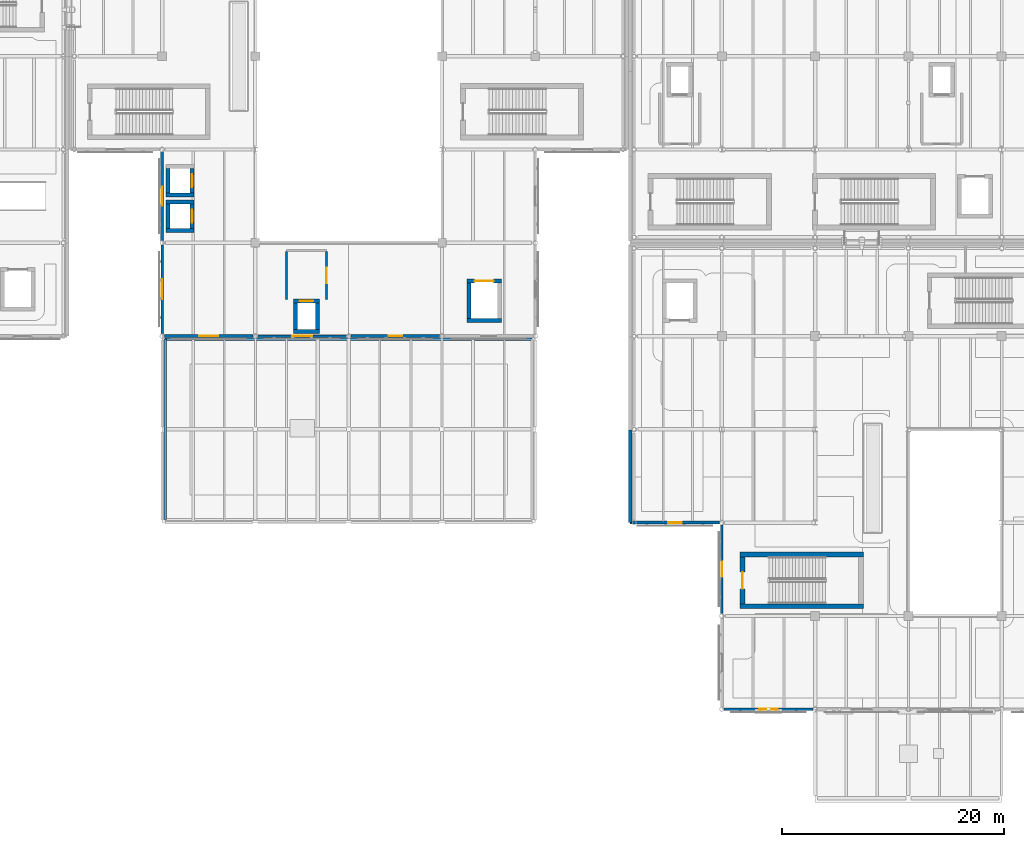
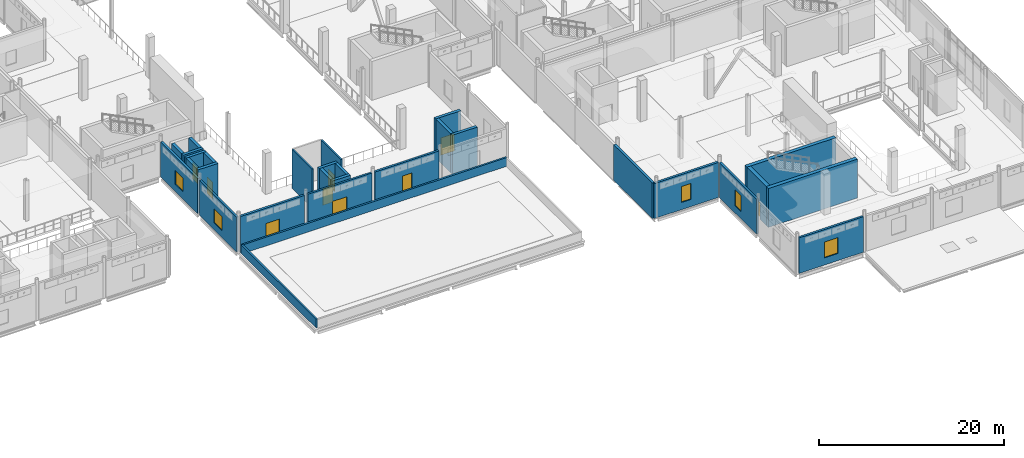
# One storey, part 66 of 110: 30 walls, 8 windows, 6 doors, 14 openings.
"""IFC4 building model written with IfcOpenShell, lengths in metres."""

from ifc_helpers import new_model, si_unit, direction, frame, frame_2d, origin, place, context, subcontext, project, spatial, rectangle, extrude, material, layer, layer_set, type_object, element, fill, save


model = new_model("IFC4")

# Units and contexts
model_context = context("Model", 3, precision=1e-05, world=origin(), true_north=direction((0.0, 1.0)))
body_context = subcontext(model_context, "Body", "Model", "MODEL_VIEW")
ifc_project = project(units=[si_unit("LENGTHUNIT", "METRE"), si_unit("AREAUNIT", "SQUARE_METRE"), si_unit("VOLUMEUNIT", "CUBIC_METRE"), si_unit("PLANEANGLEUNIT", "RADIAN"), si_unit("MASSUNIT", "GRAM", prefix="KILO"), si_unit("THERMODYNAMICTEMPERATUREUNIT", "KELVIN")], contexts=[model_context])

# Site, building, storey
site_placement = place(None, origin())
site = spatial("IfcSite", under=ifc_project, at=site_placement, CompositionType="ELEMENT")
building_placement = place(site_placement, origin())
building = spatial("IfcBuilding", under=site, at=building_placement, Name="Lustrewick Department Store", CompositionType="ELEMENT")
storey_placement = place(building_placement, frame((0.0, 0.0, 6.0)))
storey = spatial("IfcBuildingStorey", under=building, at=storey_placement, Name="L02", CompositionType="ELEMENT", Elevation=6.0)

# Wall, opening, window
ifc_material_1 = material(Name="Precast concrete C40", Category="concrete")
ifc_layer_1 = layer(ifc_material_1, 0.239990234375, Name="Precast concrete C40")
ifc_layer_set_1 = layer_set([ifc_layer_1], Name="Precast concrete C40")
wall_type_1 = type_object("IfcWallType", Name="EW01", PredefinedType="STANDARD", material=ifc_layer_set_1)
wall_1_placement = place(storey_placement, frame((75.798095703125, 42.0, 0.0), z_axis=(0.0, 0.0, 1.0), x_axis=(1.0, 0.0, 0.0)))
wall_1 = element("IfcWall", 1, at=wall_1_placement, inside=storey, type_object=wall_type_1, Name="L02 V2 Exterior Wall EW01", PredefinedType="STANDARD", context=body_context, shape_type="SweptSolid", body=[
    extrude(rectangle(XDim=8.00390625, YDim=0.239990234375, at=frame_2d((4.001953125, 0.0))), origin(), (0.0, 0.0, 1.0), 4.787109375),
])
opening_1_placement = place(wall_1_placement, frame((3.10205078125, 0.0, 0.949951171875)))
opening_1 = element("IfcOpeningElement", 2, at=opening_1_placement, cuts=wall_1, Name="Opening WN05", PredefinedType="OPENING", context=body_context, shape_type="SweptSolid", body=[
    extrude(rectangle(XDim=1.800048828125, YDim=1.800048828125, at=frame_2d((0.89990234375, 0.89990234375))), frame((0.0, 0.1298828125, 0.0), z_axis=(0.0, -1.0, 0.0), x_axis=(1.0, 0.0, 0.0)), (0.0, 0.0, 1.0), 0.260009765625),
])
ifc_material_2 = material(Name="Thermally broken Low-E triple-glazed window", Category="glass")
window_type_1 = type_object("IfcWindowType", Name="WN05", PartitioningType="DOUBLE_PANEL_VERTICAL", PredefinedType="WINDOW", material=ifc_material_2)
window_1_placement = place(opening_1_placement, origin())
window_1 = element("IfcWindow", 3, at=window_1_placement, inside=storey, type_object=window_type_1, Name="L02 Art Nouveau Window WN05", OverallHeight=1.800048828125, OverallWidth=1.800048828125, PartitioningType="SINGLE_PANEL", PredefinedType="WINDOW", context=body_context, shape_type="SweptSolid", body=[
    extrude(rectangle(XDim=1.800048828125, YDim=1.800048828125, at=frame_2d((0.89990234375, 0.89990234375))), frame((0.0, 0.030029296875, 0.0), z_axis=(0.0, -1.0, 0.0), x_axis=(1.0, 0.0, 0.0)), (0.0, 0.0, 1.0), 0.06005859375),
])
fill(opening_1, window_1)

wall_2_placement = place(storey_placement, frame((67.199951171875, 50.216552734375, 0.0), z_axis=(0.0, 0.0, 1.0), x_axis=(0.0, -1.0, 0.0)))
wall_2 = element("IfcWall", 4, at=wall_2_placement, inside=storey, type_object=wall_type_1, Name="L02 V2 Exterior Wall EW01", PredefinedType="STANDARD", context=body_context, shape_type="SweptSolid", body=[
    extrude(rectangle(XDim=8.0185546875, YDim=0.239990234375, at=frame_2d((4.00927734375, 0.0))), origin(), (0.0, 0.0, 1.0), 4.631103515625),
])
opening_2_placement = place(wall_2_placement, frame((3.109375, 0.0, 0.949951171875)))
opening_2 = element("IfcOpeningElement", 5, at=opening_2_placement, cuts=wall_2, Name="Opening WN05", PredefinedType="OPENING", context=body_context, shape_type="SweptSolid", body=[
    extrude(rectangle(XDim=1.800048828125, YDim=1.800048828125, at=frame_2d((0.89990234375, 0.89990234375))), frame((0.0, 0.1298828125, 0.0), z_axis=(0.0, -1.0, 0.0), x_axis=(1.0, 0.0, 0.0)), (0.0, 0.0, 1.0), 0.260009765625),
])
window_2_placement = place(opening_2_placement, origin())
window_2 = element("IfcWindow", 6, at=window_2_placement, inside=storey, type_object=window_type_1, Name="L02 Art Nouveau Window WN05", OverallHeight=1.800048828125, OverallWidth=1.800048828125, PartitioningType="SINGLE_PANEL", PredefinedType="WINDOW", context=body_context, shape_type="SweptSolid", body=[
    extrude(rectangle(XDim=1.800048828125, YDim=1.800048828125, at=frame_2d((0.89990234375, 0.89990234375))), frame((0.0, 0.030029296875, 0.0), z_axis=(0.0, -1.0, 0.0), x_axis=(1.0, 0.0, 0.0)), (0.0, 0.0, 1.0), 0.06005859375),
])
fill(opening_2, window_2)

wall_3_placement = place(storey_placement, frame((117.60009765625, 25.001953125, 0.0), z_axis=(0.0, 0.0, 1.0), x_axis=(0.0, -1.0, 0.0)))
wall_3 = element("IfcWall", 7, at=wall_3_placement, inside=storey, type_object=wall_type_1, Name="L02 V3 Exterior Wall EW01", PredefinedType="STANDARD", context=body_context, shape_type="SweptSolid", body=[
    extrude(rectangle(XDim=8.00390625, YDim=0.239990234375, at=frame_2d((4.001953125, 0.0))), origin(), (0.0, 0.0, 1.0), 4.631103515625),
])
opening_3_placement = place(wall_3_placement, frame((3.326904296875, 0.0, 0.949951171875)))
opening_3 = element("IfcOpeningElement", 8, at=opening_3_placement, cuts=wall_3, Name="Opening WN07", PredefinedType="OPENING", context=body_context, shape_type="SweptSolid", body=[
    extrude(rectangle(XDim=1.35009765625, YDim=2.10009765625, at=frame_2d((0.675048828125, 1.050048828125))), frame((0.0, 0.1298828125, 0.0), z_axis=(0.0, -1.0, 0.0), x_axis=(1.0, 0.0, 0.0)), (0.0, 0.0, 1.0), 0.260009765625),
])
window_type_2 = type_object("IfcWindowType", Name="WN07", PartitioningType="DOUBLE_PANEL_VERTICAL", PredefinedType="WINDOW", material=ifc_material_2)
window_3_placement = place(opening_3_placement, origin())
window_3 = element("IfcWindow", 9, at=window_3_placement, inside=storey, type_object=window_type_2, Name="L02 Art Nouveau Window WN07", OverallHeight=2.10009765625, OverallWidth=1.35009765625, PartitioningType="SINGLE_PANEL", PredefinedType="WINDOW", context=body_context, shape_type="SweptSolid", body=[
    extrude(rectangle(XDim=1.35009765625, YDim=2.10009765625, at=frame_2d((0.675048828125, 1.050048828125))), frame((0.0, 0.030029296875, 0.0), z_axis=(0.0, -1.0, 0.0), x_axis=(1.0, 0.0, 0.0)), (0.0, 0.0, 1.0), 0.06005859375),
])
fill(opening_3, window_3)

ifc_layer_2 = layer(ifc_material_1, 0.260009765625, Name="Precast concrete C40")
ifc_layer_set_2 = layer_set([ifc_layer_2], Name="Precast concrete C40")
wall_type_2 = type_object("IfcWallType", Name="EW02", PredefinedType="STANDARD", material=ifc_layer_set_2)
wall_4_placement = place(storey_placement, frame((84.197998046875, 42.0, 0.0), z_axis=(0.0, 0.0, 1.0), x_axis=(1.0, 0.0, 0.0)))
wall_4 = element("IfcWall", 10, at=wall_4_placement, inside=storey, type_object=wall_type_2, Name="L02 V2 Exterior Wall EW02", PredefinedType="STANDARD", context=body_context, shape_type="SweptSolid", body=[
    extrude(rectangle(XDim=8.00390625, YDim=0.260009765625, at=frame_2d((4.001953125, 0.0))), origin(), (0.0, 0.0, 1.0), 4.787109375),
])
opening_4_placement = place(wall_4_placement, frame((3.402099609375, 0.0, 0.949951171875)))
opening_4 = element("IfcOpeningElement", 11, at=opening_4_placement, cuts=wall_4, Name="Opening WN06", PredefinedType="OPENING", context=body_context, shape_type="SweptSolid", body=[
    extrude(rectangle(XDim=1.199951171875, YDim=2.10009765625, at=frame_2d((0.60009765625, 1.050048828125))), frame((0.0, 0.14013671875, 0.0), z_axis=(0.0, -1.0, 0.0), x_axis=(1.0, 0.0, 0.0)), (0.0, 0.0, 1.0), 0.280029296875),
])
window_type_3 = type_object("IfcWindowType", Name="WN06", PartitioningType="DOUBLE_PANEL_VERTICAL", PredefinedType="WINDOW", material=ifc_material_2)
window_4_placement = place(opening_4_placement, origin())
window_4 = element("IfcWindow", 12, at=window_4_placement, inside=storey, type_object=window_type_3, Name="L02 Art Nouveau Window WN06", OverallHeight=2.10009765625, OverallWidth=1.199951171875, PartitioningType="SINGLE_PANEL", PredefinedType="WINDOW", context=body_context, shape_type="SweptSolid", body=[
    extrude(rectangle(XDim=1.199951171875, YDim=2.10009765625, at=frame_2d((0.60009765625, 1.050048828125))), frame((0.0, 0.030029296875, 0.0), z_axis=(0.0, -1.0, 0.0), x_axis=(1.0, 0.0, 0.0)), (0.0, 0.0, 1.0), 0.06005859375),
])
fill(opening_4, window_4)

wall_5_placement = place(storey_placement, frame((117.783447265625, 8.39990234375, 0.0), z_axis=(0.0, 0.0, 1.0), x_axis=(1.0, 0.0, 0.0)))
wall_5 = element("IfcWall", 13, at=wall_5_placement, inside=storey, type_object=wall_type_2, Name="L02 V3 Exterior Wall EW02", PredefinedType="STANDARD", context=body_context, shape_type="SweptSolid", body=[
    extrude(rectangle(XDim=8.032958984375, YDim=0.260009765625, at=frame_2d((4.0166015625, 0.0))), origin(), (0.0, 0.0, 1.0), 4.697021484375),
])
opening_5_placement = place(wall_5_placement, frame((3.176513671875, 0.0, 0.949951171875)))
opening_5 = element("IfcOpeningElement", 14, at=opening_5_placement, cuts=wall_5, Name="Opening WN09", PredefinedType="OPENING", context=body_context, shape_type="SweptSolid", body=[
    extrude(rectangle(XDim=1.679931640625, YDim=2.10009765625, at=frame_2d((0.83984375, 1.050048828125))), frame((0.0, 0.14013671875, 0.0), z_axis=(0.0, -1.0, 0.0), x_axis=(1.0, 0.0, 0.0)), (0.0, 0.0, 1.0), 0.280029296875),
])
window_type_4 = type_object("IfcWindowType", Name="WN09", PartitioningType="DOUBLE_PANEL_VERTICAL", PredefinedType="WINDOW", material=ifc_material_2)
window_5_placement = place(opening_5_placement, origin())
window_5 = element("IfcWindow", 15, at=window_5_placement, inside=storey, type_object=window_type_4, Name="L02 Art Nouveau Window WN09", OverallHeight=2.10009765625, OverallWidth=1.679931640625, PartitioningType="SINGLE_PANEL", PredefinedType="WINDOW", context=body_context, shape_type="SweptSolid", body=[
    extrude(rectangle(XDim=1.679931640625, YDim=2.10009765625, at=frame_2d((0.83984375, 1.050048828125))), frame((0.0, 0.030029296875, 0.0), z_axis=(0.0, -1.0, 0.0), x_axis=(1.0, 0.0, 0.0)), (0.0, 0.0, 1.0), 0.06005859375),
])
fill(opening_5, window_5)

ifc_layer_3 = layer(ifc_material_1, 0.280029296875, Name="Precast concrete C40")
ifc_layer_set_3 = layer_set([ifc_layer_3], Name="Precast concrete C40")
wall_type_3 = type_object("IfcWallType", Name="EW03", PredefinedType="STANDARD", material=ifc_layer_set_3)
wall_6_placement = place(storey_placement, frame((67.39794921875, 42.0, 0.0), z_axis=(0.0, 0.0, 1.0), x_axis=(1.0, 0.0, 0.0)))
wall_6 = element("IfcWall", 16, at=wall_6_placement, inside=storey, type_object=wall_type_3, Name="L02 V2 Exterior Wall EW03", PredefinedType="STANDARD", context=body_context, shape_type="SweptSolid", body=[
    extrude(rectangle(XDim=8.004150390625, YDim=0.280029296875, at=frame_2d((4.001953125, 0.0))), origin(), (0.0, 0.0, 1.0), 4.787109375),
])
opening_6_placement = place(wall_6_placement, frame((3.162109375, 0.0, 0.949951171875)))
opening_6 = element("IfcOpeningElement", 17, at=opening_6_placement, cuts=wall_6, Name="Opening WN04", PredefinedType="OPENING", context=body_context, shape_type="SweptSolid", body=[
    extrude(rectangle(XDim=1.679931640625, YDim=1.800048828125, at=frame_2d((0.83984375, 0.89990234375))), frame((0.0, 0.14990234375, 0.0), z_axis=(0.0, -1.0, 0.0), x_axis=(1.0, 0.0, 0.0)), (0.0, 0.0, 1.0), 0.300048828125),
])
window_type_5 = type_object("IfcWindowType", Name="WN04", PartitioningType="DOUBLE_PANEL_VERTICAL", PredefinedType="WINDOW", material=ifc_material_2)
window_6_placement = place(opening_6_placement, origin())
window_6 = element("IfcWindow", 18, at=window_6_placement, inside=storey, type_object=window_type_5, Name="L02 Art Nouveau Window WN04", OverallHeight=1.800048828125, OverallWidth=1.679931640625, PartitioningType="SINGLE_PANEL", PredefinedType="WINDOW", context=body_context, shape_type="SweptSolid", body=[
    extrude(rectangle(XDim=1.679931640625, YDim=1.800048828125, at=frame_2d((0.83984375, 0.89990234375))), frame((0.0, 0.030029296875, 0.0), z_axis=(0.0, -1.0, 0.0), x_axis=(1.0, 0.0, 0.0)), (0.0, 0.0, 1.0), 0.06005859375),
])
fill(opening_6, window_6)

wall_7_placement = place(storey_placement, frame((67.199951171875, 58.60205078125, 0.0), z_axis=(0.0, 0.0, 1.0), x_axis=(0.0, -1.0, 0.0)))
wall_7 = element("IfcWall", 19, at=wall_7_placement, inside=storey, type_object=wall_type_3, Name="L02 V2 Exterior Wall EW03", PredefinedType="STANDARD", context=body_context, shape_type="SweptSolid", body=[
    extrude(rectangle(XDim=8.0185546875, YDim=0.280029296875, at=frame_2d((4.00927734375, 0.0))), origin(), (0.0, 0.0, 1.0), 4.631103515625),
])
opening_7_placement = place(wall_7_placement, frame((3.169189453125, 0.0, 0.949951171875)))
opening_7 = element("IfcOpeningElement", 20, at=opening_7_placement, cuts=wall_7, Name="Opening WN04", PredefinedType="OPENING", context=body_context, shape_type="SweptSolid", body=[
    extrude(rectangle(XDim=1.679931640625, YDim=1.800048828125, at=frame_2d((0.83984375, 0.89990234375))), frame((0.0, 0.14990234375, 0.0), z_axis=(0.0, -1.0, 0.0), x_axis=(1.0, 0.0, 0.0)), (0.0, 0.0, 1.0), 0.300048828125),
])
window_7_placement = place(opening_7_placement, origin())
window_7 = element("IfcWindow", 21, at=window_7_placement, inside=storey, type_object=window_type_5, Name="L02 Art Nouveau Window WN04", OverallHeight=1.800048828125, OverallWidth=1.679931640625, PartitioningType="SINGLE_PANEL", PredefinedType="WINDOW", context=body_context, shape_type="SweptSolid", body=[
    extrude(rectangle(XDim=1.679931640625, YDim=1.800048828125, at=frame_2d((0.83984375, 0.89990234375))), frame((0.0, 0.030029296875, 0.0), z_axis=(0.0, -1.0, 0.0), x_axis=(1.0, 0.0, 0.0)), (0.0, 0.0, 1.0), 0.06005859375),
])
fill(opening_7, window_7)

wall_8_placement = place(storey_placement, frame((109.35009765625, 25.199951171875, 0.0), z_axis=(0.0, 0.0, 1.0), x_axis=(1.0, 0.0, 0.0)))
wall_8 = element("IfcWall", 22, at=wall_8_placement, inside=storey, type_object=wall_type_3, Name="L02 V3 Exterior Wall EW03", PredefinedType="STANDARD", context=body_context, shape_type="SweptSolid", body=[
    extrude(rectangle(XDim=8.052001953125, YDim=0.280029296875, at=frame_2d((4.02587890625, 0.0))), origin(), (0.0, 0.0, 1.0), 4.631103515625),
])
opening_8_placement = place(wall_8_placement, frame((3.426025390625, 0.0, 0.949951171875)))
opening_8 = element("IfcOpeningElement", 23, at=opening_8_placement, cuts=wall_8, Name="Opening WN06", PredefinedType="OPENING", context=body_context, shape_type="SweptSolid", body=[
    extrude(rectangle(XDim=1.199951171875, YDim=2.10009765625, at=frame_2d((0.60009765625, 1.050048828125))), frame((0.0, 0.14990234375, 0.0), z_axis=(0.0, -1.0, 0.0), x_axis=(1.0, 0.0, 0.0)), (0.0, 0.0, 1.0), 0.300048828125),
])
window_8_placement = place(opening_8_placement, origin())
window_8 = element("IfcWindow", 24, at=window_8_placement, inside=storey, type_object=window_type_3, Name="L02 Art Nouveau Window WN06", OverallHeight=2.10009765625, OverallWidth=1.199951171875, PartitioningType="SINGLE_PANEL", PredefinedType="WINDOW", context=body_context, shape_type="SweptSolid", body=[
    extrude(rectangle(XDim=1.199951171875, YDim=2.10009765625, at=frame_2d((0.60009765625, 1.050048828125))), frame((0.0, 0.030029296875, 0.0), z_axis=(0.0, -1.0, 0.0), x_axis=(1.0, 0.0, 0.0)), (0.0, 0.0, 1.0), 0.06005859375),
])
fill(opening_8, window_8)

# Walls
ifc_layer_4 = layer(ifc_material_1, 0.300048828125, Name="Precast concrete C40")
ifc_layer_set_4 = layer_set([ifc_layer_4], Name="Precast concrete C40")
wall_type_4 = type_object("IfcWallType", Name="EW04", PredefinedType="STANDARD", material=ifc_layer_set_4)
wall_9_placement = place(storey_placement, frame((109.35009765625, 33.550048828125, 0.0), z_axis=(0.0, 0.0, 1.0), x_axis=(0.0, -1.0, 0.0)))
element("IfcWall", 25, at=wall_9_placement, inside=storey, type_object=wall_type_4, Name="L02 V3 Exterior Wall EW04", PredefinedType="STANDARD", context=body_context, shape_type="SweptSolid", body=[
    extrude(rectangle(XDim=8.35009765625, YDim=0.300048828125, at=frame_2d((4.175048828125, 0.0))), origin(), (0.0, 0.0, 1.0), 4.697021484375),
])
ifc_layer_5 = layer(ifc_material_1, 0.2099609375, Name="Precast concrete C40")
ifc_layer_set_5 = layer_set([ifc_layer_5], Name="Precast concrete C40")
wall_type_5 = type_object("IfcWallType", Name="PA02", PredefinedType="PARAPET", material=ifc_layer_set_5)
wall_10_placement = place(storey_placement, frame((67.47998046875, 25.47998046875, 0.0), z_axis=(0.0, 0.0, 1.0), x_axis=(0.0, 1.0, 0.0)))
element("IfcWall", 26, at=wall_10_placement, inside=storey, type_object=wall_type_5, Name="L02 Roof Parapet PA02", PredefinedType="PARAPET", context=body_context, shape_type="SweptSolid", body=[
    extrude(rectangle(XDim=16.239990234375, YDim=0.2099609375, at=frame_2d((8.1201171875, 0.0))), origin(), (0.0, 0.0, 1.0), 1.14990234375),
])
ifc_layer_6 = layer(ifc_material_1, 0.22998046875, Name="Precast concrete C40")
ifc_layer_set_6 = layer_set([ifc_layer_6], Name="Precast concrete C40")
wall_type_6 = type_object("IfcWallType", Name="PA03", PredefinedType="PARAPET", material=ifc_layer_set_6)
wall_11_placement = place(storey_placement, frame((67.47998046875, 41.719970703125, 0.0), z_axis=(0.0, 0.0, 1.0), x_axis=(1.0, 0.0, 0.0)))
element("IfcWall", 27, at=wall_11_placement, inside=storey, type_object=wall_type_6, Name="L02 Roof Parapet PA03", PredefinedType="PARAPET", context=body_context, shape_type="SweptSolid", body=[
    extrude(rectangle(XDim=33.0400390625, YDim=0.22998046875, at=frame_2d((16.52001953125, 0.0))), origin(), (0.0, 0.0, 1.0), 1.14990234375),
])

# Wall, opening, door
ifc_material_3 = material(Name="Autoclaved aerated concrete blockwork and fire board", Category="masonry")
ifc_layer_7 = layer(ifc_material_3, 0.205078125, Name="Autoclaved aerated concrete blockwork and fire board")
ifc_layer_set_7 = layer_set([ifc_layer_7], Name="Autoclaved aerated concrete blockwork and fire board")
wall_type_7 = type_object("IfcWallType", Name="PW02", PredefinedType="PARTITIONING", material=ifc_layer_set_7)
wall_12_placement = place(storey_placement, frame((82.0, 45.300048828125, 0.0), z_axis=(0.0, 0.0, 1.0), x_axis=(0.0, 1.0, 0.0)))
wall_12 = element("IfcWall", 28, at=wall_12_placement, inside=storey, type_object=wall_type_7, Name="L02 Firefighting Lift Lobby FFL-02 PW02", PredefinedType="PARTITIONING", context=body_context, shape_type="SweptSolid", body=[
    extrude(rectangle(XDim=4.302490234375, YDim=0.205078125, at=frame_2d((2.1513671875, 0.0))), origin(), (0.0, 0.0, 1.0), 5.14501953125),
])
opening_9_placement = place(wall_12_placement, frame((1.451416015625, 0.0, 0.0)))
opening_9 = element("IfcOpeningElement", 29, at=opening_9_placement, cuts=wall_12, Name="Opening D-L02-048", PredefinedType="OPENING", context=body_context, shape_type="SweptSolid", body=[
    extrude(rectangle(XDim=1.39990234375, YDim=2.14990234375, at=frame_2d((0.699951171875, 1.074951171875))), frame((0.0, 0.112548828125, 0.0), z_axis=(0.0, -1.0, 0.0), x_axis=(1.0, 0.0, 0.0)), (0.0, 0.0, 1.0), 0.22509765625),
])
ifc_material_4 = material(Name="Steel fire door Class B EI 60", Category="steel")
door_type_1 = type_object("IfcDoorType", Name="DT-08", OperationType="NOTDEFINED", PredefinedType="DOOR", material=ifc_material_4)
door_1_placement = place(opening_9_placement, origin())
door_1 = element("IfcDoor", 30, at=door_1_placement, inside=storey, type_object=door_type_1, Name="L02 Firefighting Lift Lobby FFL-02 Door D-L02-048", OperationType="SINGLE_SWING_RIGHT", OverallHeight=2.14990234375, OverallWidth=1.39990234375, PredefinedType="DOOR", context=body_context, shape_type="SweptSolid", body=[
    extrude(rectangle(XDim=1.39990234375, YDim=2.14990234375, at=frame_2d((0.699951171875, 1.074951171875))), frame((0.0, 0.02490234375, 0.0), z_axis=(0.0, -1.0, 0.0), x_axis=(1.0, 0.0, 0.0)), (0.0, 0.0, 1.0), 0.050048828125),
])
fill(opening_9, door_1)

# Walls
wall_13_placement = place(storey_placement, frame((78.39990234375, 49.6025390625, 0.0), z_axis=(0.0, 0.0, 1.0), x_axis=(0.0, -1.0, 0.0)))
element("IfcWall", 31, at=wall_13_placement, inside=storey, type_object=wall_type_7, Name="L02 Firefighting Lift Lobby FFL-02 PW02", PredefinedType="PARTITIONING", context=body_context, shape_type="SweptSolid", body=[
    extrude(rectangle(XDim=4.302490234375, YDim=0.205078125, at=frame_2d((2.1513671875, 0.0))), origin(), (0.0, 0.0, 1.0), 5.14501953125),
])
ifc_material_5 = material(Name="Concrete C50", Category="concrete")
ifc_layer_8 = layer(ifc_material_5, 0.449951171875, Name="Concrete C50")
ifc_layer_set_8 = layer_set([ifc_layer_8], Name="Concrete C50")
wall_type_8 = type_object("IfcWallType", Name="SW01", PredefinedType="SHEAR", material=ifc_layer_set_8)
for number, where, z_axis, x_axis, name in (
    (32, (119.25, 17.675048828125, 0.0), (0.0, 0.0, 1.0), (1.0, 0.0, 0.0), "L02 Stair Core ST07 Shear Wall S"),
    (33, (130.35009765625, 22.324951171875, 0.0), (0.0, 0.0, 1.0), (-1.0, 0.0, 0.0), "L02 Stair Core ST07 Shear Wall N"),
):
    element("IfcWall", number, at=place(storey_placement, frame(where, z_axis=z_axis, x_axis=x_axis)), inside=storey, type_object=wall_type_8, Name=name, PredefinedType="SHEAR", context=body_context, shape_type="SweptSolid", body=[
        extrude(rectangle(XDim=11.10009765625, YDim=0.449951171875, at=frame_2d((5.550048828125, 0.0))), origin(), (0.0, 0.0, 1.0), 5.14501953125),
    ])

# Wall, opening, door
wall_14_placement = place(storey_placement, frame((119.47509765625, 22.10009765625, 0.0), z_axis=(0.0, 0.0, 1.0), x_axis=(0.0, -1.0, 0.0)))
wall_14 = element("IfcWall", 34, at=wall_14_placement, inside=storey, type_object=wall_type_8, Name="L02 Stair Core ST07 Shear Wall W", PredefinedType="SHEAR", context=body_context, shape_type="SweptSolid", body=[
    extrude(rectangle(XDim=4.2001953125, YDim=0.449951171875, at=frame_2d((2.10009765625, 0.0))), origin(), (0.0, 0.0, 1.0), 5.14501953125),
])
opening_10_placement = place(wall_14_placement, frame((1.35009765625, 0.0, 0.0)))
opening_10 = element("IfcOpeningElement", 35, at=opening_10_placement, cuts=wall_14, Name="Opening D-L02-007", PredefinedType="OPENING", context=body_context, shape_type="SweptSolid", body=[
    extrude(rectangle(XDim=1.5, YDim=2.14990234375, at=frame_2d((0.75, 1.074951171875))), frame((0.0, 0.23486328125, 0.0), z_axis=(0.0, -1.0, 0.0), x_axis=(1.0, 0.0, 0.0)), (0.0, 0.0, 1.0), 0.469970703125),
])
door_type_2 = type_object("IfcDoorType", Name="DT-07", OperationType="NOTDEFINED", PredefinedType="DOOR", material=ifc_material_4)
door_2_placement = place(opening_10_placement, origin())
door_2 = element("IfcDoor", 36, at=door_2_placement, inside=storey, type_object=door_type_2, Name="L02 Smoke-Proof Stair ST07 Fire Door", OperationType="SINGLE_SWING_RIGHT", OverallHeight=2.14990234375, OverallWidth=1.5, PredefinedType="DOOR", context=body_context, shape_type="SweptSolid", body=[
    extrude(rectangle(XDim=1.5, YDim=2.14990234375, at=frame_2d((0.75, 1.074951171875))), frame((0.0, 0.02490234375, 0.0), z_axis=(0.0, -1.0, 0.0), x_axis=(1.0, 0.0, 0.0)), (0.0, 0.0, 1.0), 0.050048828125),
])
fill(opening_10, door_2)

# Walls
ifc_material_6 = material(Name="Concrete C40", Category="concrete")
ifc_layer_9 = layer(ifc_material_6, 0.360107421875, Name="Concrete C40")
ifc_layer_set_9 = layer_set([ifc_layer_9], Name="Concrete C40")
wall_type_9 = type_object("IfcWallType", Name="SW04", PredefinedType="SHEAR", material=ifc_layer_set_9)
wall_15_placement = place(storey_placement, frame((79.0400390625, 42.419921875, 0.0), z_axis=(0.0, 0.0, 1.0), x_axis=(1.0, 0.0, 0.0)))
element("IfcWall", 37, at=wall_15_placement, inside=storey, type_object=wall_type_9, Name="L02 Lift FFL-02 Shaft Wall -Y", PredefinedType="SHEAR", context=body_context, shape_type="SweptSolid", body=[
    extrude(rectangle(XDim=2.320068359375, YDim=0.360107421875, at=frame_2d((1.16015625, 0.0))), origin(), (0.0, 0.0, 1.0), 5.14501953125),
])
wall_16_placement = place(storey_placement, frame((81.179931640625, 42.60009765625, 0.0), z_axis=(0.0, 0.0, 1.0), x_axis=(0.0, 1.0, 0.0)))
element("IfcWall", 38, at=wall_16_placement, inside=storey, type_object=wall_type_9, Name="L02 Lift FFL-02 Shaft Wall +X", PredefinedType="SHEAR", context=body_context, shape_type="SweptSolid", body=[
    extrude(rectangle(XDim=2.39990234375, YDim=0.360107421875, at=frame_2d((1.199951171875, 0.0))), origin(), (0.0, 0.0, 1.0), 5.14501953125),
])

# Wall, opening, door
wall_17_placement = place(storey_placement, frame((81.360107421875, 45.179931640625, 0.0), z_axis=(0.0, 0.0, 1.0), x_axis=(-1.0, 0.0, 0.0)))
wall_17 = element("IfcWall", 39, at=wall_17_placement, inside=storey, type_object=wall_type_9, Name="L02 Lift FFL-02 Shaft Wall +Y", PredefinedType="SHEAR", context=body_context, shape_type="SweptSolid", body=[
    extrude(rectangle(XDim=2.320068359375, YDim=0.360107421875, at=frame_2d((1.16015625, 0.0))), origin(), (0.0, 0.0, 1.0), 5.14501953125),
])
opening_11_placement = place(wall_17_placement, frame((0.534912109375, 0.0, 0.0)))
opening_11 = element("IfcOpeningElement", 40, at=opening_11_placement, cuts=wall_17, Name="Opening LD-L02-02", PredefinedType="OPENING", context=body_context, shape_type="SweptSolid", body=[
    extrude(rectangle(XDim=1.25, YDim=2.199951171875, at=frame_2d((0.625, 1.10009765625))), frame((0.0, 0.18994140625, 0.0), z_axis=(0.0, -1.0, 0.0), x_axis=(1.0, 0.0, 0.0)), (0.0, 0.0, 1.0), 0.380126953125),
])
ifc_material_7 = material(Name="Stainless steel firefighting lift landing door EI 90", Category="steel")
door_type_3 = type_object("IfcDoorType", Name="DT-15", OperationType="NOTDEFINED", PredefinedType="DOOR", material=ifc_material_7)
door_3_placement = place(opening_11_placement, frame((1.25, 0.0, 0.0), z_axis=(0.0, 0.0, 1.0), x_axis=(-1.0, 0.0, 0.0)))
door_3 = element("IfcDoor", 41, at=door_3_placement, inside=storey, type_object=door_type_3, Name="L02 Lift FFL-02 Sliding Landing Door LD-L02-02", OperationType="DOUBLE_DOOR_SLIDING", OverallHeight=2.199951171875, OverallWidth=1.25, PredefinedType="DOOR", context=body_context, shape_type="SweptSolid", body=[
    extrude(rectangle(XDim=1.25, YDim=2.199951171875, at=frame_2d((0.625, 1.10009765625))), frame((0.0, 0.02490234375, 0.0), z_axis=(0.0, -1.0, 0.0), x_axis=(1.0, 0.0, 0.0)), (0.0, 0.0, 1.0), 0.050048828125),
])
fill(opening_11, door_3)

# Walls
wall_18_placement = place(storey_placement, frame((79.219970703125, 45.0, 0.0), z_axis=(0.0, 0.0, 1.0), x_axis=(0.0, -1.0, 0.0)))
element("IfcWall", 42, at=wall_18_placement, inside=storey, type_object=wall_type_9, Name="L02 Lift FFL-02 Shaft Wall -X", PredefinedType="SHEAR", context=body_context, shape_type="SweptSolid", body=[
    extrude(rectangle(XDim=2.39990234375, YDim=0.360107421875, at=frame_2d((1.199951171875, 0.0))), origin(), (0.0, 0.0, 1.0), 5.14501953125),
])
wall_19_placement = place(storey_placement, frame((67.5400390625, 51.52001953125, 0.0), z_axis=(0.0, 0.0, 1.0), x_axis=(1.0, 0.0, 0.0)))
element("IfcWall", 43, at=wall_19_placement, inside=storey, type_object=wall_type_9, Name="L02 Lift PL-03 Shaft Wall -Y", PredefinedType="SHEAR", context=body_context, shape_type="SweptSolid", body=[
    extrude(rectangle(XDim=2.52001953125, YDim=0.360107421875, at=frame_2d((1.260009765625, 0.0))), origin(), (0.0, 0.0, 1.0), 5.14501953125),
])

# Wall, opening, door
wall_20_placement = place(storey_placement, frame((69.8798828125, 51.699951171875, 0.0), z_axis=(0.0, 0.0, 1.0), x_axis=(0.0, 1.0, 0.0)))
wall_20 = element("IfcWall", 44, at=wall_20_placement, inside=storey, type_object=wall_type_9, Name="L02 Lift PL-03 Shaft Wall +X", PredefinedType="SHEAR", context=body_context, shape_type="SweptSolid", body=[
    extrude(rectangle(XDim=2.199951171875, YDim=0.360107421875, at=frame_2d((1.10009765625, 0.0))), origin(), (0.0, 0.0, 1.0), 5.14501953125),
])
opening_12_placement = place(wall_20_placement, frame((0.52490234375, 0.0, 0.0)))
opening_12 = element("IfcOpeningElement", 45, at=opening_12_placement, cuts=wall_20, Name="Opening LD-L02-07", PredefinedType="OPENING", context=body_context, shape_type="SweptSolid", body=[
    extrude(rectangle(XDim=1.14990234375, YDim=2.199951171875, at=frame_2d((0.574951171875, 1.10009765625))), frame((0.0, 0.18994140625, 0.0), z_axis=(0.0, -1.0, 0.0), x_axis=(1.0, 0.0, 0.0)), (0.0, 0.0, 1.0), 0.380126953125),
])
ifc_material_8 = material(Name="Brushed bronze passenger lift landing door EI 60", Category="steel")
door_type_4 = type_object("IfcDoorType", Name="DT-16", OperationType="NOTDEFINED", PredefinedType="DOOR", material=ifc_material_8)
door_4_placement = place(opening_12_placement, frame((1.14990234375, 0.0, 0.0), z_axis=(0.0, 0.0, 1.0), x_axis=(-1.0, 0.0, 0.0)))
door_4 = element("IfcDoor", 46, at=door_4_placement, inside=storey, type_object=door_type_4, Name="L02 Lift PL-03 Sliding Landing Door LD-L02-07", OperationType="DOUBLE_DOOR_SLIDING", OverallHeight=2.199951171875, OverallWidth=1.14990234375, PredefinedType="DOOR", context=body_context, shape_type="SweptSolid", body=[
    extrude(rectangle(XDim=1.14990234375, YDim=2.199951171875, at=frame_2d((0.574951171875, 1.10009765625))), frame((0.0, 0.02490234375, 0.0), z_axis=(0.0, -1.0, 0.0), x_axis=(1.0, 0.0, 0.0)), (0.0, 0.0, 1.0), 0.050048828125),
])
fill(opening_12, door_4)

# Walls
wall_21_placement = place(storey_placement, frame((70.06005859375, 54.080078125, 0.0), z_axis=(0.0, 0.0, 1.0), x_axis=(-1.0, 0.0, 0.0)))
element("IfcWall", 47, at=wall_21_placement, inside=storey, type_object=wall_type_9, Name="L02 Lift PL-03 Shaft Wall +Y", PredefinedType="SHEAR", context=body_context, shape_type="SweptSolid", body=[
    extrude(rectangle(XDim=2.52001953125, YDim=0.360107421875, at=frame_2d((1.260009765625, 0.0))), origin(), (0.0, 0.0, 1.0), 5.14501953125),
])
wall_22_placement = place(storey_placement, frame((67.719970703125, 53.89990234375, 0.0), z_axis=(0.0, 0.0, 1.0), x_axis=(0.0, -1.0, 0.0)))
element("IfcWall", 48, at=wall_22_placement, inside=storey, type_object=wall_type_9, Name="L02 Lift PL-03 Shaft Wall -X", PredefinedType="SHEAR", context=body_context, shape_type="SweptSolid", body=[
    extrude(rectangle(XDim=2.199951171875, YDim=0.360107421875, at=frame_2d((1.10009765625, 0.0))), origin(), (0.0, 0.0, 1.0), 5.14501953125),
])
wall_23_placement = place(storey_placement, frame((67.5400390625, 54.719970703125, 0.0), z_axis=(0.0, 0.0, 1.0), x_axis=(1.0, 0.0, 0.0)))
element("IfcWall", 49, at=wall_23_placement, inside=storey, type_object=wall_type_9, Name="L02 Lift PL-04 Shaft Wall -Y", PredefinedType="SHEAR", context=body_context, shape_type="SweptSolid", body=[
    extrude(rectangle(XDim=2.52001953125, YDim=0.360107421875, at=frame_2d((1.260009765625, 0.0))), origin(), (0.0, 0.0, 1.0), 5.14501953125),
])

# Wall, opening, door
wall_24_placement = place(storey_placement, frame((69.8798828125, 54.89990234375, 0.0), z_axis=(0.0, 0.0, 1.0), x_axis=(0.0, 1.0, 0.0)))
wall_24 = element("IfcWall", 50, at=wall_24_placement, inside=storey, type_object=wall_type_9, Name="L02 Lift PL-04 Shaft Wall +X", PredefinedType="SHEAR", context=body_context, shape_type="SweptSolid", body=[
    extrude(rectangle(XDim=2.2001953125, YDim=0.360107421875, at=frame_2d((1.10009765625, 0.0))), origin(), (0.0, 0.0, 1.0), 5.14501953125),
])
opening_13_placement = place(wall_24_placement, frame((0.52490234375, 0.0, 0.0)))
opening_13 = element("IfcOpeningElement", 51, at=opening_13_placement, cuts=wall_24, Name="Opening LD-L02-08", PredefinedType="OPENING", context=body_context, shape_type="SweptSolid", body=[
    extrude(rectangle(XDim=1.14990234375, YDim=2.199951171875, at=frame_2d((0.574951171875, 1.10009765625))), frame((0.0, 0.18994140625, 0.0), z_axis=(0.0, -1.0, 0.0), x_axis=(1.0, 0.0, 0.0)), (0.0, 0.0, 1.0), 0.380126953125),
])
door_5_placement = place(opening_13_placement, frame((1.14990234375, 0.0, 0.0), z_axis=(0.0, 0.0, 1.0), x_axis=(-1.0, 0.0, 0.0)))
door_5 = element("IfcDoor", 52, at=door_5_placement, inside=storey, type_object=door_type_4, Name="L02 Lift PL-04 Sliding Landing Door LD-L02-08", OperationType="DOUBLE_DOOR_SLIDING", OverallHeight=2.199951171875, OverallWidth=1.14990234375, PredefinedType="DOOR", context=body_context, shape_type="SweptSolid", body=[
    extrude(rectangle(XDim=1.14990234375, YDim=2.199951171875, at=frame_2d((0.574951171875, 1.10009765625))), frame((0.0, 0.02490234375, 0.0), z_axis=(0.0, -1.0, 0.0), x_axis=(1.0, 0.0, 0.0)), (0.0, 0.0, 1.0), 0.050048828125),
])
fill(opening_13, door_5)

# Walls
wall_25_placement = place(storey_placement, frame((67.719970703125, 57.10009765625, 0.0), z_axis=(0.0, 0.0, 1.0), x_axis=(0.0, -1.0, 0.0)))
element("IfcWall", 53, at=wall_25_placement, inside=storey, type_object=wall_type_9, Name="L02 Lift PL-04 Shaft Wall -X", PredefinedType="SHEAR", context=body_context, shape_type="SweptSolid", body=[
    extrude(rectangle(XDim=2.2001953125, YDim=0.360107421875, at=frame_2d((1.10009765625, 0.0))), origin(), (0.0, 0.0, 1.0), 5.14501953125),
])
wall_26_placement = place(storey_placement, frame((94.639892578125, 43.419921875, 0.0), z_axis=(0.0, 0.0, 1.0), x_axis=(1.0, 0.0, 0.0)))
element("IfcWall", 54, at=wall_26_placement, inside=storey, type_object=wall_type_9, Name="L02 Lift GL-02 Shaft Wall -Y", PredefinedType="SHEAR", context=body_context, shape_type="SweptSolid", body=[
    extrude(rectangle(XDim=3.1201171875, YDim=0.360107421875, at=frame_2d((1.56005859375, 0.0))), origin(), (0.0, 0.0, 1.0), 5.14501953125),
])

# Wall, opening, door
wall_27_placement = place(storey_placement, frame((97.760009765625, 46.97998046875, 0.0), z_axis=(0.0, 0.0, 1.0), x_axis=(-1.0, 0.0, 0.0)))
wall_27 = element("IfcWall", 55, at=wall_27_placement, inside=storey, type_object=wall_type_9, Name="L02 Lift GL-02 Shaft Wall +Y", PredefinedType="SHEAR", context=body_context, shape_type="SweptSolid", body=[
    extrude(rectangle(XDim=3.1201171875, YDim=0.360107421875, at=frame_2d((1.56005859375, 0.0))), origin(), (0.0, 0.0, 1.0), 5.14501953125),
])
opening_14_placement = place(wall_27_placement, frame((0.7099609375, 0.0, 0.0)))
opening_14 = element("IfcOpeningElement", 56, at=opening_14_placement, cuts=wall_27, Name="Opening LD-L02-14", PredefinedType="OPENING", context=body_context, shape_type="SweptSolid", body=[
    extrude(rectangle(XDim=1.699951171875, YDim=2.300048828125, at=frame_2d((0.85009765625, 1.14990234375))), frame((0.0, 0.18994140625, 0.0), z_axis=(0.0, -1.0, 0.0), x_axis=(1.0, 0.0, 0.0)), (0.0, 0.0, 1.0), 0.380126953125),
])
ifc_material_9 = material(Name="Heavy-duty stainless goods lift landing door EI 90", Category="steel")
door_type_5 = type_object("IfcDoorType", Name="DT-17", OperationType="NOTDEFINED", PredefinedType="DOOR", material=ifc_material_9)
door_6_placement = place(opening_14_placement, frame((1.699951171875, 0.0, 0.0), z_axis=(0.0, 0.0, 1.0), x_axis=(-1.0, 0.0, 0.0)))
door_6 = element("IfcDoor", 57, at=door_6_placement, inside=storey, type_object=door_type_5, Name="L02 Lift GL-02 Sliding Landing Door LD-L02-14", OperationType="DOUBLE_DOOR_SLIDING", OverallHeight=2.300048828125, OverallWidth=1.699951171875, PredefinedType="DOOR", context=body_context, shape_type="SweptSolid", body=[
    extrude(rectangle(XDim=1.699951171875, YDim=2.300048828125, at=frame_2d((0.85009765625, 1.14990234375))), frame((0.0, 0.02490234375, 0.0), z_axis=(0.0, -1.0, 0.0), x_axis=(1.0, 0.0, 0.0)), (0.0, 0.0, 1.0), 0.050048828125),
])
fill(opening_14, door_6)

# Wall
wall_28_placement = place(storey_placement, frame((94.820068359375, 46.800048828125, 0.0), z_axis=(0.0, 0.0, 1.0), x_axis=(0.0, -1.0, 0.0)))
element("IfcWall", 58, at=wall_28_placement, inside=storey, type_object=wall_type_9, Name="L02 Lift GL-02 Shaft Wall -X", PredefinedType="SHEAR", context=body_context, shape_type="SweptSolid", body=[
    extrude(rectangle(XDim=3.199951171875, YDim=0.360107421875, at=frame_2d((1.60009765625, 0.0))), origin(), (0.0, 0.0, 1.0), 5.14501953125),
])

save(model, "model.ifc")
